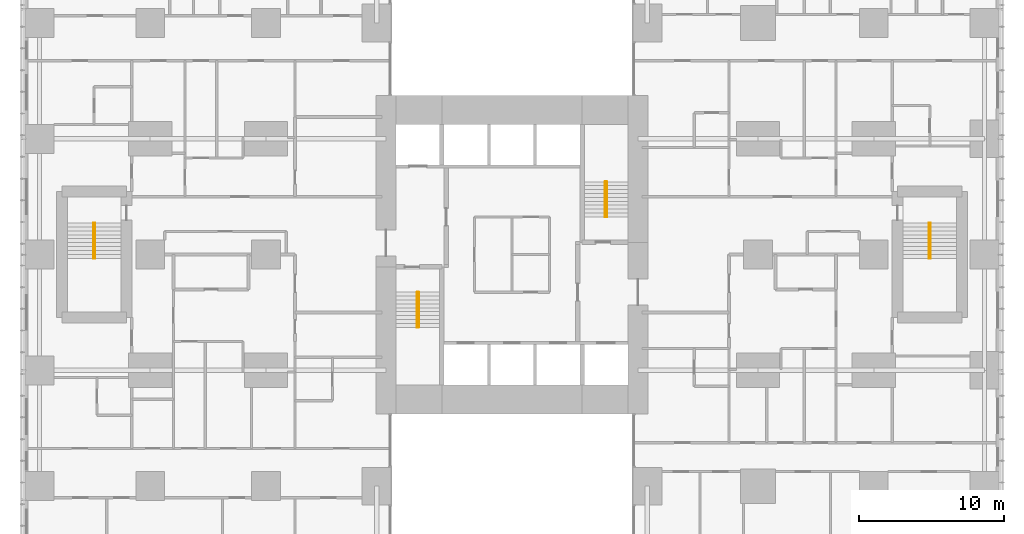
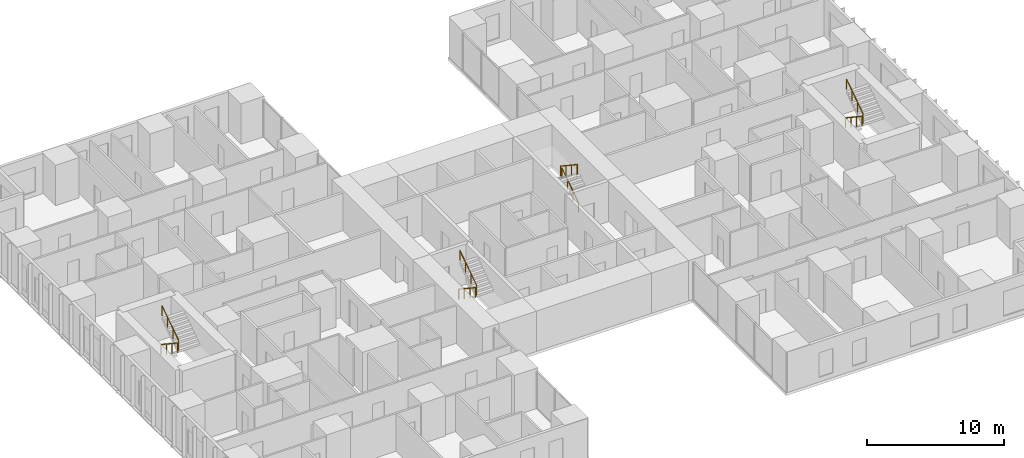
# One storey, part 21 of 21: 8 railings.
"""IFC4 building model written with IfcOpenShell, lengths in metres."""

from ifc_helpers import new_model, si_unit, direction, frame, origin, origin_2d, place, context, subcontext, project, spatial, circle, extrude, material, type_object, element, save


model = new_model("IFC4")

# Units and contexts
model_context = context("Model", 3, precision=1e-05, world=origin(), true_north=direction((0.0, 1.0)))
body_context = subcontext(model_context, "Body", "Model", "MODEL_VIEW")
ifc_project = project(units=[si_unit("LENGTHUNIT", "METRE"), si_unit("AREAUNIT", "SQUARE_METRE"), si_unit("VOLUMEUNIT", "CUBIC_METRE"), si_unit("PLANEANGLEUNIT", "RADIAN"), si_unit("MASSUNIT", "GRAM", prefix="KILO")], contexts=[model_context])

# Site, building, storey
site_placement = place(None, origin())
site = spatial("IfcSite", under=ifc_project, at=site_placement, CompositionType="ELEMENT")
building_placement = place(site_placement, origin())
building = spatial("IfcBuilding", under=site, at=building_placement, Name="Cleftline Residences", CompositionType="ELEMENT")
storey_placement = place(building_placement, frame((0.0, 0.0, 161.0)))
storey = spatial("IfcBuildingStorey", under=building, at=storey_placement, Name="L42", CompositionType="ELEMENT", Elevation=161.0)

# Railings
ifc_material = material(Name="Stainless steel", Category="steel")
railing_type = type_object("IfcRailingType", Name="HANDRAIL 900", PredefinedType="HANDRAIL", material=ifc_material)
railing_1_placement = place(storey_placement, frame((26.449951171875, 21.39990234375, 0.179931640625)))
element("IfcRailing", 1, at=railing_1_placement, inside=storey, type_object=railing_type, Name="Stair handrail", PredefinedType="HANDRAIL", context=body_context, shape_type="SweptSolid", body=[
    extrude(circle(Radius=0.02392578125, at=origin_2d()), frame((0.0, 0.0, 0.8759765625), z_axis=(0.0, -0.832024571796, 0.554738778101), x_axis=(1.0, 0.0, 0.0)), (0.0, 0.0, 1.0), 2.92041015625),
    extrude(circle(Radius=0.02099609375, at=origin_2d()), origin(), (0.0, 0.0, 1.0), 0.851806640625),
    extrude(circle(Radius=0.02099609375, at=origin_2d()), frame((0.0, -0.81005859375, 0.5400390625)), (0.0, 0.0, 1.0), 0.851806640625),
    extrude(circle(Radius=0.02099609375, at=origin_2d()), frame((0.0, -1.619873046875, 1.080078125)), (0.0, 0.0, 1.0), 0.851806640625),
    extrude(circle(Radius=0.02099609375, at=origin_2d()), frame((0.0, -2.429931640625, 1.6201171875)), (0.0, 0.0, 1.0), 0.851806640625),
])
for number, where, name in (
    (2, (26.550048828125, 18.969970703125, 1.97998046875), "Stair handrail"),
    (3, (39.550048828125, 26.60009765625, 0.179931640625), "Stair handrail"),
):
    element("IfcRailing", number, at=place(storey_placement, frame(where)), inside=storey, type_object=railing_type, Name=name, PredefinedType="HANDRAIL", context=body_context, shape_type="SweptSolid", body=[
        extrude(circle(Radius=0.02392578125, at=origin_2d()), frame((0.0, 0.0, 0.8759765625), z_axis=(0.0, 0.832024571796, 0.554738778101), x_axis=(-1.0, 0.0, 0.0)), (0.0, 0.0, 1.0), 2.92041015625),
        extrude(circle(Radius=0.02099609375, at=origin_2d()), origin(), (0.0, 0.0, 1.0), 0.851806640625),
        extrude(circle(Radius=0.02099609375, at=origin_2d()), frame((0.0, 0.81005859375, 0.5400390625)), (0.0, 0.0, 1.0), 0.851806640625),
        extrude(circle(Radius=0.02099609375, at=origin_2d()), frame((0.0, 1.619873046875, 1.080078125)), (0.0, 0.0, 1.0), 0.851806640625),
        extrude(circle(Radius=0.02099609375, at=origin_2d()), frame((0.0, 2.429931640625, 1.6201171875)), (0.0, 0.0, 1.0), 0.851806640625),
    ])
for number, where, name in (
    (4, (39.449951171875, 29.030029296875, 1.97998046875), "Stair handrail"),
    (5, (61.824951171875, 26.175048828125, 0.179931640625), "Stair handrail"),
):
    element("IfcRailing", number, at=place(storey_placement, frame(where)), inside=storey, type_object=railing_type, Name=name, PredefinedType="HANDRAIL", context=body_context, shape_type="SweptSolid", body=[
        extrude(circle(Radius=0.02392578125, at=origin_2d()), frame((0.0, 0.0, 0.8759765625), z_axis=(0.0, -0.832024571796, 0.554738778101), x_axis=(1.0, 0.0, 0.0)), (0.0, 0.0, 1.0), 2.92041015625),
        extrude(circle(Radius=0.02099609375, at=origin_2d()), origin(), (0.0, 0.0, 1.0), 0.851806640625),
        extrude(circle(Radius=0.02099609375, at=origin_2d()), frame((0.0, -0.81005859375, 0.5400390625)), (0.0, 0.0, 1.0), 0.851806640625),
        extrude(circle(Radius=0.02099609375, at=origin_2d()), frame((0.0, -1.619873046875, 1.080078125)), (0.0, 0.0, 1.0), 0.851806640625),
        extrude(circle(Radius=0.02099609375, at=origin_2d()), frame((0.0, -2.429931640625, 1.6201171875)), (0.0, 0.0, 1.0), 0.851806640625),
    ])
railing_2_placement = place(storey_placement, frame((61.925048828125, 23.7451171875, 1.97998046875)))
element("IfcRailing", 6, at=railing_2_placement, inside=storey, type_object=railing_type, Name="Stair handrail", PredefinedType="HANDRAIL", context=body_context, shape_type="SweptSolid", body=[
    extrude(circle(Radius=0.02392578125, at=origin_2d()), frame((0.0, 0.0, 0.8759765625), z_axis=(0.0, 0.832024571796, 0.554738778101), x_axis=(-1.0, 0.0, 0.0)), (0.0, 0.0, 1.0), 2.92041015625),
    extrude(circle(Radius=0.02099609375, at=origin_2d()), origin(), (0.0, 0.0, 1.0), 0.851806640625),
    extrude(circle(Radius=0.02099609375, at=origin_2d()), frame((0.0, 0.81005859375, 0.5400390625)), (0.0, 0.0, 1.0), 0.851806640625),
    extrude(circle(Radius=0.02099609375, at=origin_2d()), frame((0.0, 1.619873046875, 1.080078125)), (0.0, 0.0, 1.0), 0.851806640625),
    extrude(circle(Radius=0.02099609375, at=origin_2d()), frame((0.0, 2.429931640625, 1.6201171875)), (0.0, 0.0, 1.0), 0.851806640625),
])
railing_3_placement = place(storey_placement, frame((4.074951171875, 26.175048828125, 0.179931640625)))
element("IfcRailing", 7, at=railing_3_placement, inside=storey, type_object=railing_type, Name="Stair handrail", PredefinedType="HANDRAIL", context=body_context, shape_type="SweptSolid", body=[
    extrude(circle(Radius=0.02392578125, at=origin_2d()), frame((0.0, 0.0, 0.8759765625), z_axis=(0.0, -0.832024571796, 0.554738778101), x_axis=(1.0, 0.0, 0.0)), (0.0, 0.0, 1.0), 2.92041015625),
    extrude(circle(Radius=0.02099609375, at=origin_2d()), origin(), (0.0, 0.0, 1.0), 0.851806640625),
    extrude(circle(Radius=0.02099609375, at=origin_2d()), frame((0.0, -0.81005859375, 0.5400390625)), (0.0, 0.0, 1.0), 0.851806640625),
    extrude(circle(Radius=0.02099609375, at=origin_2d()), frame((0.0, -1.619873046875, 1.080078125)), (0.0, 0.0, 1.0), 0.851806640625),
    extrude(circle(Radius=0.02099609375, at=origin_2d()), frame((0.0, -2.429931640625, 1.6201171875)), (0.0, 0.0, 1.0), 0.851806640625),
])
railing_4_placement = place(storey_placement, frame((4.175048828125, 23.7451171875, 1.97998046875)))
element("IfcRailing", 8, at=railing_4_placement, inside=storey, type_object=railing_type, Name="Stair handrail", PredefinedType="HANDRAIL", context=body_context, shape_type="SweptSolid", body=[
    extrude(circle(Radius=0.02392578125, at=origin_2d()), frame((0.0, 0.0, 0.8759765625), z_axis=(0.0, 0.832024571796, 0.554738778101), x_axis=(-1.0, 0.0, 0.0)), (0.0, 0.0, 1.0), 2.92041015625),
    extrude(circle(Radius=0.02099609375, at=origin_2d()), origin(), (0.0, 0.0, 1.0), 0.851806640625),
    extrude(circle(Radius=0.02099609375, at=origin_2d()), frame((0.0, 0.81005859375, 0.5400390625)), (0.0, 0.0, 1.0), 0.851806640625),
    extrude(circle(Radius=0.02099609375, at=origin_2d()), frame((0.0, 1.619873046875, 1.080078125)), (0.0, 0.0, 1.0), 0.851806640625),
    extrude(circle(Radius=0.02099609375, at=origin_2d()), frame((0.0, 2.429931640625, 1.6201171875)), (0.0, 0.0, 1.0), 0.851806640625),
])

save(model, "model.ifc")
